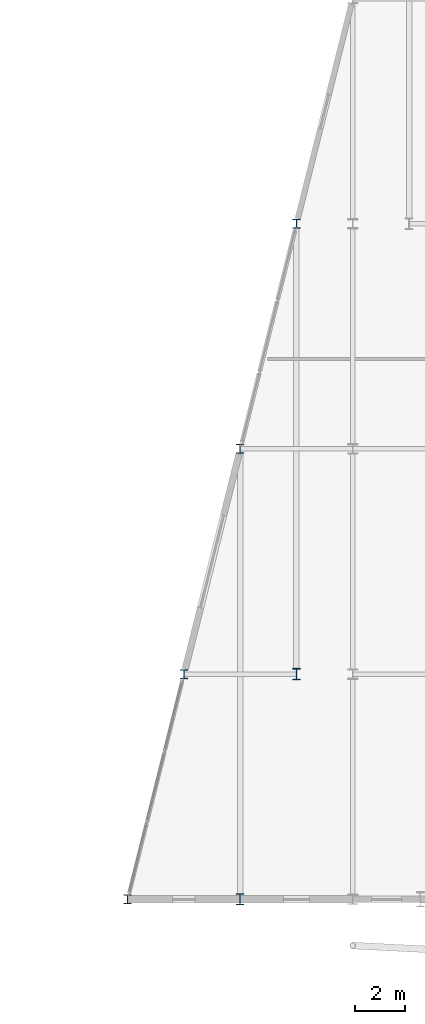
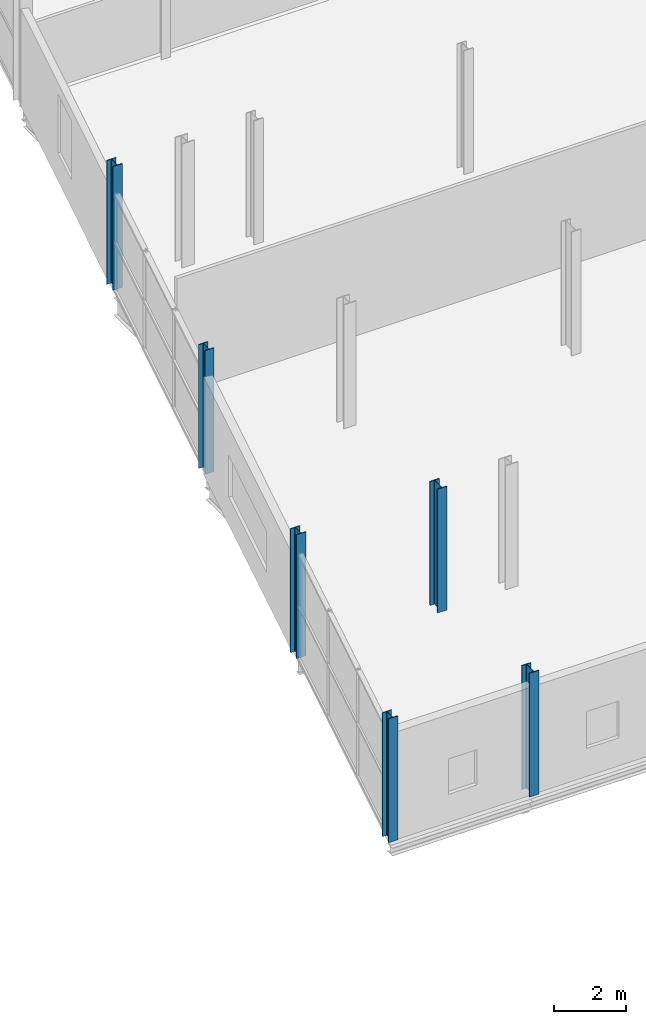
# One storey, part 6 of 140: 6 columns.
"""IFC4 building model written with IfcOpenShell, lengths in metres."""

from ifc_helpers import new_model, si_unit, direction, frame, origin, origin_2d, place, context, subcontext, project, spatial, i_section, extrude, material, material_profile, profile_set, type_object, element, save


model = new_model("IFC4")

# Units and contexts
model_context = context("Model", 3, precision=1e-05, world=origin(), true_north=direction((0.0, 1.0)))
body_context = subcontext(model_context, "Body", "Model", "MODEL_VIEW")
ifc_project = project(units=[si_unit("LENGTHUNIT", "METRE"), si_unit("AREAUNIT", "SQUARE_METRE"), si_unit("VOLUMEUNIT", "CUBIC_METRE"), si_unit("PLANEANGLEUNIT", "RADIAN"), si_unit("MASSUNIT", "GRAM", prefix="KILO")], contexts=[model_context])

# Site, building, storey
site_placement = place(None, origin())
site = spatial("IfcSite", under=ifc_project, at=site_placement, CompositionType="ELEMENT")
building_placement = place(site_placement, origin())
building = spatial("IfcBuilding", under=site, at=building_placement, Name="Deido Ridge Mobility Hub", CompositionType="ELEMENT")
storey_placement = place(building_placement, origin())
storey = spatial("IfcBuildingStorey", under=building, at=storey_placement, Name="L00", CompositionType="ELEMENT", Elevation=0.0)

# Columns
ifc_material = material(Name="Steel S355J2 EN 10025-2", Category="steel")
ifc_material_profile_1 = material_profile(ifc_material, i_section(OverallWidth=0.300048828125, OverallDepth=0.360107421875, WebThickness=0.012451171875, FlangeThickness=0.0224609375, FilletRadius=0.027099609375, at=origin_2d()), Name="HEB 360")
ifc_profile_set_1 = profile_set([ifc_material_profile_1], Name="Steel S355J2 EN 10025-2")
column_type_1 = type_object("IfcColumnType", Name="COL-HEB360", PredefinedType="COLUMN", material=ifc_profile_set_1)
for number, where, z_axis, x_axis, name in (
    (1, (117.0, 0.0, 0.0), (0.0, 0.0, 1.0), (1.0, 0.0, 0.0), "Structural column C8"),
    (2, (119.25, 9.0, 0.0), (0.0, 0.0, 1.0), (1.0, 0.0, 0.0), "Structural column C8"),
    (3, (121.5, 18.0, 0.0), (0.0, 0.0, 1.0), (1.0, 0.0, 0.0), "Structural column C8"),
    (4, (123.75, 27.0, 0.0), (0.0, 0.0, 1.0), (1.0, 0.0, 0.0), "Structural column C8"),
):
    element("IfcColumn", number, at=place(storey_placement, frame(where, z_axis=z_axis, x_axis=x_axis)), inside=storey, type_object=column_type_1, Name=name, PredefinedType="COLUMN", context=body_context, shape_type="SweptSolid", body=[
        extrude(i_section(OverallWidth=0.300048828125, OverallDepth=0.360107421875, WebThickness=0.012451171875, FlangeThickness=0.0224609375, FilletRadius=0.027099609375, at=origin_2d()), origin(), (0.0, 0.0, 1.0), 4.199951171875),
    ])
ifc_material_profile_2 = material_profile(ifc_material, i_section(OverallWidth=0.300048828125, OverallDepth=0.449951171875, WebThickness=0.013916015625, FlangeThickness=0.02587890625, FilletRadius=0.027099609375, at=origin_2d()), Name="HEB 450")
ifc_profile_set_2 = profile_set([ifc_material_profile_2], Name="Steel S355J2 EN 10025-2")
column_type_2 = type_object("IfcColumnType", Name="COL-HEB450", PredefinedType="COLUMN", material=ifc_profile_set_2)
for number, where, z_axis, x_axis, name in (
    (5, (121.5, 0.0, 0.0), (0.0, 0.0, 1.0), (1.0, 0.0, 0.0), "Structural column C6"),
    (6, (123.75, 9.0, 0.0), (0.0, 0.0, 1.0), (1.0, 0.0, 0.0), "Structural column C6"),
):
    element("IfcColumn", number, at=place(storey_placement, frame(where, z_axis=z_axis, x_axis=x_axis)), inside=storey, type_object=column_type_2, Name=name, PredefinedType="COLUMN", context=body_context, shape_type="SweptSolid", body=[
        extrude(i_section(OverallWidth=0.300048828125, OverallDepth=0.449951171875, WebThickness=0.013916015625, FlangeThickness=0.02587890625, FilletRadius=0.027099609375, at=origin_2d()), origin(), (0.0, 0.0, 1.0), 4.199951171875),
    ])

save(model, "model.ifc")
